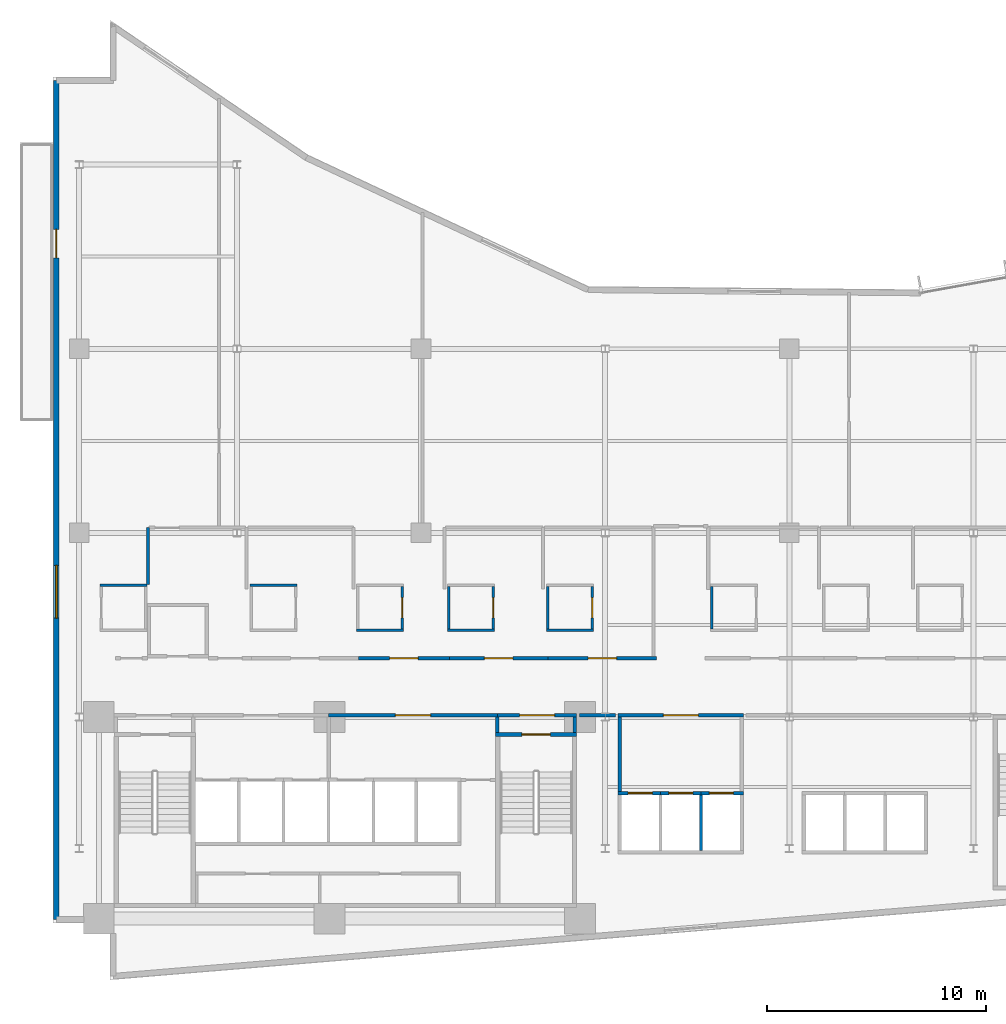
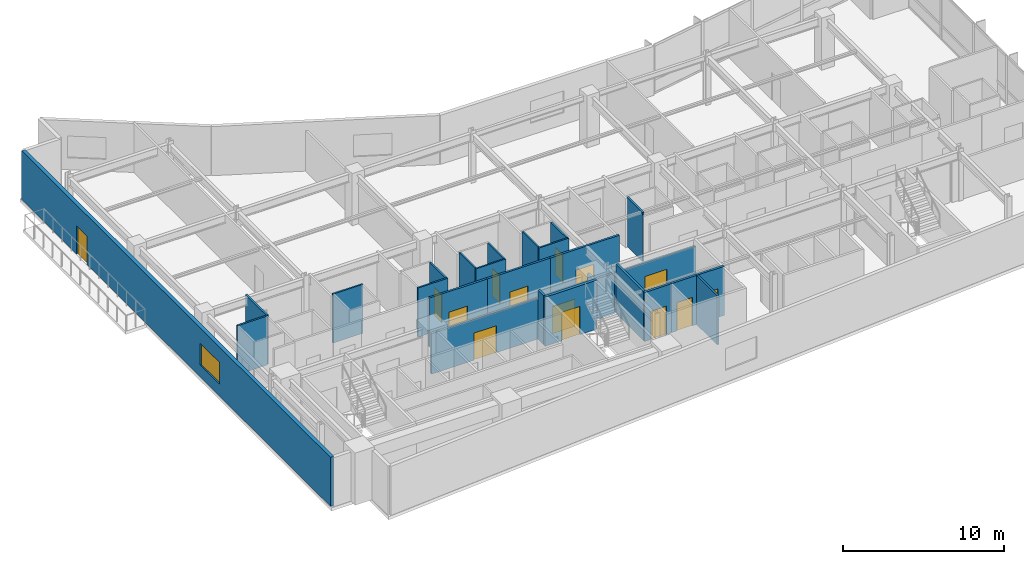
# One storey, part 13 of 21: 28 walls, 14 doors, 1 window, 15 openings.
"""IFC4 building model written with IfcOpenShell, lengths in metres."""

from ifc_helpers import new_model, si_unit, direction, frame, frame_2d, origin, place, context, subcontext, project, spatial, rectangle, extrude, material, layer, layer_set, type_object, element, fill, save


model = new_model("IFC4")

# Units and contexts
model_context = context("Model", 3, precision=1e-05, world=origin(), true_north=direction((0.0, 1.0)))
body_context = subcontext(model_context, "Body", "Model", "MODEL_VIEW")
ifc_project = project(units=[si_unit("LENGTHUNIT", "METRE"), si_unit("AREAUNIT", "SQUARE_METRE"), si_unit("VOLUMEUNIT", "CUBIC_METRE"), si_unit("PLANEANGLEUNIT", "RADIAN"), si_unit("MASSUNIT", "GRAM", prefix="KILO")], contexts=[model_context])

# Site, building, storey
site_placement = place(None, origin())
site = spatial("IfcSite", under=ifc_project, at=site_placement, CompositionType="ELEMENT")
building_placement = place(site_placement, origin())
building = spatial("IfcBuilding", under=site, at=building_placement, Name="Varnakote Quay Hospital", CompositionType="ELEMENT")
storey_placement = place(building_placement, frame((0.0, 0.0, 34.35009765625)))
storey = spatial("IfcBuildingStorey", under=building, at=storey_placement, Name="L08", CompositionType="ELEMENT", Elevation=34.35009765625)

# Wall, opening, door
ifc_material_1 = material(Name="Fire-rated acoustic gypsum stud wall", Category="gypsum")
ifc_layer_1 = layer(ifc_material_1, 0.159912109375)
ifc_layer_set_1 = layer_set([ifc_layer_1], Name="Fire-rated acoustic gypsum stud wall")
wall_type_1 = type_object("IfcWallType", Name="WL-COMP-160", PredefinedType="PARTITIONING", material=ifc_layer_set_1)
wall_1_placement = place(storey_placement, frame((12.580078125, 12.080078125, 0.0), z_axis=(0.0, 0.0, 1.0), x_axis=(1.0, 0.0, 0.0)))
wall_1 = element("IfcWall", 1, at=wall_1_placement, inside=storey, type_object=wall_type_1, Name="L08 Clinical Bed Lift Lobby Wall", PredefinedType="PARTITIONING", context=body_context, shape_type="SweptSolid", body=[
    extrude(rectangle(XDim=7.699951171875, YDim=0.159912109375, at=frame_2d((3.85009765625, 0.0))), origin(), (0.0, 0.0, 1.0), 3.072998046875),
])
opening_1_placement = place(wall_1_placement, frame((3.050048828125, 0.0, 0.0)))
opening_1 = element("IfcOpeningElement", 2, at=opening_1_placement, cuts=wall_1, Name="Opening D-SVL-L08", PredefinedType="OPENING", context=body_context, shape_type="SweptSolid", body=[
    extrude(rectangle(XDim=1.60009765625, YDim=2.050048828125, at=frame_2d((0.800048828125, 1.02490234375))), frame((0.0, 0.08984375, 0.0), z_axis=(0.0, -1.0, 0.0), x_axis=(1.0, 0.0, 0.0)), (0.0, 0.0, 1.0), 0.179931640625),
])
ifc_material_2 = material(Name="Fire-rated double smoke lobby door")
door_type_1 = type_object("IfcDoorType", Name="DR-LOBBY-FD60S-1600x2150", OperationType="NOTDEFINED", PredefinedType="DOOR", material=ifc_material_2)
door_1_placement = place(opening_1_placement, origin())
door_1 = element("IfcDoor", 3, at=door_1_placement, inside=storey, type_object=door_type_1, Name="L08 Clinical Core Smoke Vestibule Door", OperationType="DOUBLE_DOOR_SINGLE_SWING", OverallHeight=2.050048828125, OverallWidth=1.60009765625, PredefinedType="DOOR", context=body_context, shape_type="SweptSolid", body=[
    extrude(rectangle(XDim=1.60009765625, YDim=2.050048828125, at=frame_2d((0.800048828125, 1.02490234375))), frame((0.0, 0.02490234375, 0.0), z_axis=(0.0, -1.0, 0.0), x_axis=(1.0, 0.0, 0.0)), (0.0, 0.0, 1.0), 0.050048828125),
])
fill(opening_1, door_1)

# Wall
wall_2_placement = place(storey_placement, frame((20.280029296875, 11.300048828125, 0.0), z_axis=(0.0, 0.0, 1.0), x_axis=(0.0, 1.0, 0.0)))
element("IfcWall", 4, at=wall_2_placement, inside=storey, type_object=wall_type_1, Name="L08 East Stair Vestibule Divider Wall", PredefinedType="PARTITIONING", context=body_context, shape_type="SweptSolid", body=[
    extrude(rectangle(XDim=0.699951171875, YDim=0.159912109375, at=frame_2d((0.35009765625, 0.0))), origin(), (0.0, 0.0, 1.0), 3.7099609375),
])

# Wall, opening, door
wall_3_placement = place(storey_placement, frame((20.280029296875, 12.080078125, 0.0), z_axis=(0.0, 0.0, 1.0), x_axis=(1.0, 0.0, 0.0)))
wall_3 = element("IfcWall", 5, at=wall_3_placement, inside=storey, type_object=wall_type_1, Name="L08 East Stair Vestibule Smoke Wall", PredefinedType="PARTITIONING", context=body_context, shape_type="SweptSolid", body=[
    extrude(rectangle(XDim=3.619873046875, YDim=0.159912109375, at=frame_2d((1.81005859375, 0.0))), origin(), (0.0, 0.0, 1.0), 3.072998046875),
])
opening_2_placement = place(wall_3_placement, frame((1.010009765625, 0.0, 0.0)))
opening_2 = element("IfcOpeningElement", 6, at=opening_2_placement, cuts=wall_3, Name="Opening D-ST2L-L08", PredefinedType="OPENING", context=body_context, shape_type="SweptSolid", body=[
    extrude(rectangle(XDim=1.60009765625, YDim=2.050048828125, at=frame_2d((0.800048828125, 1.02490234375))), frame((0.0, 0.08984375, 0.0), z_axis=(0.0, -1.0, 0.0), x_axis=(1.0, 0.0, 0.0)), (0.0, 0.0, 1.0), 0.179931640625),
])
door_2_placement = place(opening_2_placement, origin())
door_2 = element("IfcDoor", 7, at=door_2_placement, inside=storey, type_object=door_type_1, Name="L08 East Stair Vestibule Smoke Door", OperationType="DOUBLE_DOOR_SINGLE_SWING", OverallHeight=2.050048828125, OverallWidth=1.60009765625, PredefinedType="DOOR", context=body_context, shape_type="SweptSolid", body=[
    extrude(rectangle(XDim=1.60009765625, YDim=2.050048828125, at=frame_2d((0.800048828125, 1.02490234375))), frame((0.0, 0.02490234375, 0.0), z_axis=(0.0, -1.0, 0.0), x_axis=(1.0, 0.0, 0.0)), (0.0, 0.0, 1.0), 0.050048828125),
])
fill(opening_2, door_2)

# Walls
wall_4_placement = place(storey_placement, frame((23.820068359375, 11.300048828125, 0.0), z_axis=(0.0, 0.0, 1.0), x_axis=(0.0, 1.0, 0.0)))
element("IfcWall", 8, at=wall_4_placement, inside=storey, type_object=wall_type_1, Name="L08 East Stair Vestibule East Wall", PredefinedType="PARTITIONING", context=body_context, shape_type="SweptSolid", body=[
    extrude(rectangle(XDim=0.699951171875, YDim=0.159912109375, at=frame_2d((0.35009765625, 0.0))), origin(), (0.0, 0.0, 1.0), 3.7099609375),
])
wall_5_placement = place(storey_placement, frame((25.8701171875, 8.610107421875, 0.0), z_axis=(0.0, 0.0, 1.0), x_axis=(0.0, 1.0, 0.0)))
element("IfcWall", 9, at=wall_5_placement, inside=storey, type_object=wall_type_1, Name="L08 Low-Rise Lift Lobby West Wall", PredefinedType="PARTITIONING", context=body_context, shape_type="SweptSolid", body=[
    extrude(rectangle(XDim=3.389892578125, YDim=0.159912109375, at=frame_2d((1.69482421875, 0.0))), origin(), (0.0, 0.0, 1.0), 3.7099609375),
])

# Wall, opening, door
wall_6_placement = place(storey_placement, frame((25.7900390625, 12.080078125, 0.0), z_axis=(0.0, 0.0, 1.0), x_axis=(1.0, 0.0, 0.0)))
wall_6 = element("IfcWall", 10, at=wall_6_placement, inside=storey, type_object=wall_type_1, Name="L08 Low-Rise Lift Lobby North Wall", PredefinedType="PARTITIONING", context=body_context, shape_type="SweptSolid", body=[
    extrude(rectangle(XDim=5.719970703125, YDim=0.159912109375, at=frame_2d((2.85986328125, 0.0))), origin(), (0.0, 0.0, 1.0), 3.072998046875),
])
opening_3_placement = place(wall_6_placement, frame((2.06005859375, 0.0, 0.0)))
opening_3 = element("IfcOpeningElement", 11, at=opening_3_placement, cuts=wall_6, Name="Opening D-PLL-L08", PredefinedType="OPENING", context=body_context, shape_type="SweptSolid", body=[
    extrude(rectangle(XDim=1.60009765625, YDim=2.050048828125, at=frame_2d((0.800048828125, 1.02490234375))), frame((0.0, 0.08984375, 0.0), z_axis=(0.0, -1.0, 0.0), x_axis=(1.0, 0.0, 0.0)), (0.0, 0.0, 1.0), 0.179931640625),
])
door_3_placement = place(opening_3_placement, origin())
door_3 = element("IfcDoor", 12, at=door_3_placement, inside=storey, type_object=door_type_1, Name="L08 Low-Rise Passenger Concourse Vestibule Door", OperationType="DOUBLE_DOOR_SINGLE_SWING", OverallHeight=2.050048828125, OverallWidth=1.60009765625, PredefinedType="DOOR", context=body_context, shape_type="SweptSolid", body=[
    extrude(rectangle(XDim=1.60009765625, YDim=2.050048828125, at=frame_2d((0.800048828125, 1.02490234375))), frame((0.0, 0.02490234375, 0.0), z_axis=(0.0, -1.0, 0.0), x_axis=(1.0, 0.0, 0.0)), (0.0, 0.0, 1.0), 0.050048828125),
])
fill(opening_3, door_3)

# Walls
wall_7_placement = place(storey_placement, frame((24.02001953125, 12.080078125, 0.0), z_axis=(0.0, 0.0, 1.0), x_axis=(1.0, 0.0, 0.0)))
element("IfcWall", 13, at=wall_7_placement, inside=storey, type_object=wall_type_1, Name="L08 Corridor South Gap Wall", PredefinedType="PARTITIONING", context=body_context, shape_type="SweptSolid", body=[
    extrude(rectangle(XDim=1.64990234375, YDim=0.159912109375, at=frame_2d((0.824951171875, 0.0))), origin(), (0.0, 0.0, 1.0), 3.072998046875),
])
ifc_material_3 = material(Name="Moisture-resistant bathroom partition", Category="gypsum")
ifc_layer_2 = layer(ifc_material_3, 0.114990234375)
ifc_layer_set_2 = layer_set([ifc_layer_2], Name="Moisture-resistant bathroom partition")
wall_type_2 = type_object("IfcWallType", Name="WL-ENS-115", PredefinedType="PARTITIONING", material=ifc_layer_set_2)
for number, where, z_axis, x_axis, name in (
    (14, (2.155029296875, 18.017578125, 0.0), (0.0, 0.0, 1.0), (1.0, 0.0, 0.0), "L08 Inpatient En-Suite Bathroom 01 N Wall"),
    (15, (8.985107421875, 18.017578125, 0.0), (0.0, 0.0, 1.0), (1.0, 0.0, 0.0), "L08 Inpatient En-Suite Bathroom 02 N Wall"),
    (16, (13.85498046875, 15.952392578125, 0.0), (0.0, 0.0, 1.0), (1.0, 0.0, 0.0), "L08 Inpatient En-Suite Bathroom 03 S Wall"),
):
    element("IfcWall", number, at=place(storey_placement, frame(where, z_axis=z_axis, x_axis=x_axis)), inside=storey, type_object=wall_type_2, Name=name, PredefinedType="PARTITIONING", context=body_context, shape_type="SweptSolid", body=[
        extrude(rectangle(XDim=2.14990234375, YDim=0.114990234375, at=frame_2d((1.074951171875, 0.0))), origin(), (0.0, 0.0, 1.0), 3.7099609375),
    ])

# Wall, opening, door
wall_8_placement = place(storey_placement, frame((15.947509765625, 16.010009765625, 0.0), z_axis=(0.0, 0.0, 1.0), x_axis=(0.0, 1.0, 0.0)))
wall_8 = element("IfcWall", 17, at=wall_8_placement, inside=storey, type_object=wall_type_2, Name="L08 Inpatient En-Suite Bathroom 03 E Wall", PredefinedType="PARTITIONING", context=body_context, shape_type="SweptSolid", body=[
    extrude(rectangle(XDim=1.949951171875, YDim=0.114990234375, at=frame_2d((0.97509765625, 0.0))), origin(), (0.0, 0.0, 1.0), 3.7099609375),
])
opening_4_placement = place(wall_8_placement, frame((0.514892578125, 0.0, 0.0)))
opening_4 = element("IfcOpeningElement", 18, at=opening_4_placement, cuts=wall_8, Name="Opening D-L08-ENS03", PredefinedType="OPENING", context=body_context, shape_type="SweptSolid", body=[
    extrude(rectangle(XDim=0.919921875, YDim=2.10009765625, at=frame_2d((0.4599609375, 1.050048828125))), frame((0.0, 0.0673828125, 0.0), z_axis=(0.0, -1.0, 0.0), x_axis=(1.0, 0.0, 0.0)), (0.0, 0.0, 1.0), 0.135009765625),
])
ifc_material_4 = material(Name="Moisture-sealed en-suite bathroom door")
door_type_2 = type_object("IfcDoorType", Name="DR-ENS-920x2100", OperationType="NOTDEFINED", PredefinedType="DOOR", material=ifc_material_4)
door_4_placement = place(opening_4_placement, origin())
door_4 = element("IfcDoor", 19, at=door_4_placement, inside=storey, type_object=door_type_2, Name="L08 Inpatient En-Suite Bathroom 03 Door", OperationType="SINGLE_SWING_LEFT", OverallHeight=2.10009765625, OverallWidth=0.919921875, PredefinedType="DOOR", context=body_context, shape_type="SweptSolid", body=[
    extrude(rectangle(XDim=0.919921875, YDim=2.10009765625, at=frame_2d((0.4599609375, 1.050048828125))), frame((0.0, 0.02490234375, 0.0), z_axis=(0.0, -1.0, 0.0), x_axis=(1.0, 0.0, 0.0)), (0.0, 0.0, 1.0), 0.050048828125),
])
fill(opening_4, door_4)

# Walls
wall_9_placement = place(storey_placement, frame((18.0048828125, 15.952392578125, 0.0), z_axis=(0.0, 0.0, 1.0), x_axis=(1.0, 0.0, 0.0)))
element("IfcWall", 20, at=wall_9_placement, inside=storey, type_object=wall_type_2, Name="L08 Inpatient En-Suite Bathroom 04 S Wall", PredefinedType="PARTITIONING", context=body_context, shape_type="SweptSolid", body=[
    extrude(rectangle(XDim=2.150146484375, YDim=0.114990234375, at=frame_2d((1.0751953125, 0.0))), origin(), (0.0, 0.0, 1.0), 3.7099609375),
])
wall_10_placement = place(storey_placement, frame((18.0625, 16.010009765625, 0.0), z_axis=(0.0, 0.0, 1.0), x_axis=(0.0, 1.0, 0.0)))
element("IfcWall", 21, at=wall_10_placement, inside=storey, type_object=wall_type_2, Name="L08 Inpatient En-Suite Bathroom 04 W Wall", PredefinedType="PARTITIONING", context=body_context, shape_type="SweptSolid", body=[
    extrude(rectangle(XDim=1.949951171875, YDim=0.114990234375, at=frame_2d((0.97509765625, 0.0))), origin(), (0.0, 0.0, 1.0), 3.7099609375),
])

# Wall, opening, door
wall_11_placement = place(storey_placement, frame((20.097412109375, 16.010009765625, 0.0), z_axis=(0.0, 0.0, 1.0), x_axis=(0.0, 1.0, 0.0)))
wall_11 = element("IfcWall", 22, at=wall_11_placement, inside=storey, type_object=wall_type_2, Name="L08 Inpatient En-Suite Bathroom 04 E Wall", PredefinedType="PARTITIONING", context=body_context, shape_type="SweptSolid", body=[
    extrude(rectangle(XDim=1.949951171875, YDim=0.114990234375, at=frame_2d((0.97509765625, 0.0))), origin(), (0.0, 0.0, 1.0), 3.7099609375),
])
opening_5_placement = place(wall_11_placement, frame((0.514892578125, 0.0, 0.0)))
opening_5 = element("IfcOpeningElement", 23, at=opening_5_placement, cuts=wall_11, Name="Opening D-L08-ENS04", PredefinedType="OPENING", context=body_context, shape_type="SweptSolid", body=[
    extrude(rectangle(XDim=0.919921875, YDim=2.10009765625, at=frame_2d((0.4599609375, 1.050048828125))), frame((0.0, 0.0673828125, 0.0), z_axis=(0.0, -1.0, 0.0), x_axis=(1.0, 0.0, 0.0)), (0.0, 0.0, 1.0), 0.135009765625),
])
door_5_placement = place(opening_5_placement, origin())
door_5 = element("IfcDoor", 24, at=door_5_placement, inside=storey, type_object=door_type_2, Name="L08 Inpatient En-Suite Bathroom 04 Door", OperationType="SINGLE_SWING_RIGHT", OverallHeight=2.10009765625, OverallWidth=0.919921875, PredefinedType="DOOR", context=body_context, shape_type="SweptSolid", body=[
    extrude(rectangle(XDim=0.919921875, YDim=2.10009765625, at=frame_2d((0.4599609375, 1.050048828125))), frame((0.0, 0.02490234375, 0.0), z_axis=(0.0, -1.0, 0.0), x_axis=(1.0, 0.0, 0.0)), (0.0, 0.0, 1.0), 0.050048828125),
])
fill(opening_5, door_5)

# Walls
wall_12_placement = place(storey_placement, frame((22.514892578125, 15.952392578125, 0.0), z_axis=(0.0, 0.0, 1.0), x_axis=(1.0, 0.0, 0.0)))
element("IfcWall", 25, at=wall_12_placement, inside=storey, type_object=wall_type_2, Name="L08 Inpatient En-Suite Bathroom 05 S Wall", PredefinedType="PARTITIONING", context=body_context, shape_type="SweptSolid", body=[
    extrude(rectangle(XDim=2.150146484375, YDim=0.114990234375, at=frame_2d((1.0751953125, 0.0))), origin(), (0.0, 0.0, 1.0), 3.7099609375),
])
wall_13_placement = place(storey_placement, frame((22.572509765625, 16.010009765625, 0.0), z_axis=(0.0, 0.0, 1.0), x_axis=(0.0, 1.0, 0.0)))
element("IfcWall", 26, at=wall_13_placement, inside=storey, type_object=wall_type_2, Name="L08 Inpatient En-Suite Bathroom 05 W Wall", PredefinedType="PARTITIONING", context=body_context, shape_type="SweptSolid", body=[
    extrude(rectangle(XDim=1.949951171875, YDim=0.114990234375, at=frame_2d((0.97509765625, 0.0))), origin(), (0.0, 0.0, 1.0), 3.7099609375),
])

# Wall, opening, door
wall_14_placement = place(storey_placement, frame((24.607421875, 16.010009765625, 0.0), z_axis=(0.0, 0.0, 1.0), x_axis=(0.0, 1.0, 0.0)))
wall_14 = element("IfcWall", 27, at=wall_14_placement, inside=storey, type_object=wall_type_2, Name="L08 Inpatient En-Suite Bathroom 05 E Wall", PredefinedType="PARTITIONING", context=body_context, shape_type="SweptSolid", body=[
    extrude(rectangle(XDim=1.949951171875, YDim=0.114990234375, at=frame_2d((0.97509765625, 0.0))), origin(), (0.0, 0.0, 1.0), 3.7099609375),
])
opening_6_placement = place(wall_14_placement, frame((0.514892578125, 0.0, 0.0)))
opening_6 = element("IfcOpeningElement", 28, at=opening_6_placement, cuts=wall_14, Name="Opening D-L08-ENS05", PredefinedType="OPENING", context=body_context, shape_type="SweptSolid", body=[
    extrude(rectangle(XDim=0.919921875, YDim=2.10009765625, at=frame_2d((0.4599609375, 1.050048828125))), frame((0.0, 0.0673828125, 0.0), z_axis=(0.0, -1.0, 0.0), x_axis=(1.0, 0.0, 0.0)), (0.0, 0.0, 1.0), 0.135009765625),
])
door_6_placement = place(opening_6_placement, origin())
door_6 = element("IfcDoor", 29, at=door_6_placement, inside=storey, type_object=door_type_2, Name="L08 Inpatient En-Suite Bathroom 05 Door", OperationType="SINGLE_SWING_LEFT", OverallHeight=2.10009765625, OverallWidth=0.919921875, PredefinedType="DOOR", context=body_context, shape_type="SweptSolid", body=[
    extrude(rectangle(XDim=0.919921875, YDim=2.10009765625, at=frame_2d((0.4599609375, 1.050048828125))), frame((0.0, 0.02490234375, 0.0), z_axis=(0.0, -1.0, 0.0), x_axis=(1.0, 0.0, 0.0)), (0.0, 0.0, 1.0), 0.050048828125),
])
fill(opening_6, door_6)

# Wall
wall_15_placement = place(storey_placement, frame((30.0625, 16.010009765625, 0.0), z_axis=(0.0, 0.0, 1.0), x_axis=(0.0, 1.0, 0.0)))
element("IfcWall", 30, at=wall_15_placement, inside=storey, type_object=wall_type_2, Name="L08 Inpatient En-Suite Bathroom 06 W Wall", PredefinedType="PARTITIONING", context=body_context, shape_type="SweptSolid", body=[
    extrude(rectangle(XDim=1.949951171875, YDim=0.114990234375, at=frame_2d((0.97509765625, 0.0))), origin(), (0.0, 0.0, 1.0), 3.7099609375),
])

# Wall, openings, door, window
ifc_material_5 = material(Name="Precast concrete N50 (f'c 50 MPa)", Category="concrete")
ifc_layer_3 = layer(ifc_material_5, 0.260009765625)
ifc_layer_set_3 = layer_set([ifc_layer_3], Name="Precast concrete N50 (f'c 50 MPa)")
wall_type_3 = type_object("IfcWallType", Name="WL-EXT-BRICK-260", PredefinedType="STANDARD", material=ifc_layer_set_3)
wall_16_placement = place(storey_placement, frame((0.159912109375, 41.0400390625, 0.0), z_axis=(0.0, 0.0, 1.0), x_axis=(0.0, -1.0, 0.0)))
wall_16 = element("IfcWall", 31, at=wall_16_placement, inside=storey, type_object=wall_type_3, Name="L08 Healing Terrace Portal Brick Wall", PredefinedType="STANDARD", context=body_context, shape_type="SweptSolid", body=[
    extrude(rectangle(XDim=38.280029296875, YDim=0.260009765625, at=frame_2d((19.14013671875, 0.0))), origin(), (0.0, 0.0, 1.0), 3.7099609375),
])
opening_7_placement = place(wall_16_placement, frame((6.793212890625, 0.0, 0.0)))
opening_7 = element("IfcOpeningElement", 32, at=opening_7_placement, cuts=wall_16, Name="Opening DT-L08", PredefinedType="OPENING", context=body_context, shape_type="SweptSolid", body=[
    extrude(rectangle(XDim=1.300048828125, YDim=2.14990234375, at=frame_2d((0.64990234375, 1.074951171875))), frame((0.0, 0.139892578125, 0.0), z_axis=(0.0, -1.0, 0.0), x_axis=(1.0, 0.0, 0.0)), (0.0, 0.0, 1.0), 0.280029296875),
])
opening_8_placement = place(wall_16_placement, frame((22.126953125, 0.0, 0.89990234375)))
opening_8 = element("IfcOpeningElement", 33, at=opening_8_placement, cuts=wall_16, Name="Opening WN-0303", PredefinedType="OPENING", context=body_context, shape_type="SweptSolid", body=[
    extrude(rectangle(XDim=2.39990234375, YDim=1.64990234375, at=frame_2d((1.199951171875, 0.824951171875))), frame((0.0, 0.139892578125, 0.0), z_axis=(0.0, -1.0, 0.0), x_axis=(1.0, 0.0, 0.0)), (0.0, 0.0, 1.0), 0.280029296875),
])
ifc_material_6 = material(Name="Anodised aluminium glazed terrace door", Category="aluminium")
door_type_3 = type_object("IfcDoorType", Name="DR-EXT-TERR-1300x2150", OperationType="NOTDEFINED", PredefinedType="DOOR", material=ifc_material_6)
door_7_placement = place(opening_7_placement, origin())
door_7 = element("IfcDoor", 34, at=door_7_placement, inside=storey, type_object=door_type_3, Name="L08 Waterfront Healing Terrace Door", OperationType="SINGLE_SWING_LEFT", OverallHeight=2.14990234375, OverallWidth=1.300048828125, PredefinedType="DOOR", context=body_context, shape_type="SweptSolid", body=[
    extrude(rectangle(XDim=1.300048828125, YDim=2.14990234375, at=frame_2d((0.64990234375, 1.074951171875))), frame((0.0, 0.02490234375, 0.0), z_axis=(0.0, -1.0, 0.0), x_axis=(1.0, 0.0, 0.0)), (0.0, 0.0, 1.0), 0.050048828125),
])
fill(opening_7, door_7)
ifc_material_7 = material(Name="Double-glazed low-E solar glass", Category="glass")
window_type = type_object("IfcWindowType", Name="WIN-CLIN-2400x1650", PartitioningType="SINGLE_PANEL", PredefinedType="WINDOW", material=ifc_material_7)
window_placement = place(opening_8_placement, origin())
window = element("IfcWindow", 35, at=window_placement, inside=storey, type_object=window_type, Name="L08 Solar-Control Clinical Window", OverallHeight=1.64990234375, OverallWidth=2.39990234375, PartitioningType="SINGLE_PANEL", PredefinedType="WINDOW", context=body_context, shape_type="SweptSolid", body=[
    extrude(rectangle(XDim=2.39990234375, YDim=1.64990234375, at=frame_2d((1.199951171875, 0.824951171875))), frame((0.0, 0.030029296875, 0.0), z_axis=(0.0, -1.0, 0.0), x_axis=(1.0, 0.0, 0.0)), (0.0, 0.0, 1.0), 0.06005859375),
])
fill(opening_8, window)

# Wall
ifc_material_8 = material(Name="Concrete N50 (f'c 50 MPa)", Category="concrete")
ifc_layer_4 = layer(ifc_material_8, 0.14990234375)
ifc_layer_set_4 = layer_set([ifc_layer_4], Name="Concrete N50 (f'c 50 MPa)")
wall_type_4 = type_object("IfcWallType", Name="WL-SHAFT-N50-150", PredefinedType="SHEAR", material=ifc_layer_set_4)
wall_17_placement = place(storey_placement, frame((29.574951171875, 5.89990234375, 0.0), z_axis=(0.0, 0.0, 1.0), x_axis=(0.0, 1.0, 0.0)))
element("IfcWall", 36, at=wall_17_placement, inside=storey, type_object=wall_type_4, Name="L08 LF-PL2 Hoistway Divider Wall", PredefinedType="SHEAR", context=body_context, shape_type="SweptSolid", body=[
    extrude(rectangle(XDim=2.550048828125, YDim=0.14990234375, at=frame_2d((1.27490234375, 0.0))), origin(), (0.0, 0.0, 1.0), 3.7099609375),
])

# Wall, opening, door
ifc_material_9 = material(Name="Concrete N50 (f'c 50 MPa)", Category="concrete")
ifc_layer_5 = layer(ifc_material_9, 0.159912109375)
ifc_layer_set_5 = layer_set([ifc_layer_5], Name="Concrete N50 (f'c 50 MPa)")
wall_type_5 = type_object("IfcWallType", Name="WL-SHAFT-N50-160", PredefinedType="SHEAR", material=ifc_layer_set_5)
wall_18_placement = place(storey_placement, frame((25.7900390625, 8.530029296875, 0.0), z_axis=(0.0, 0.0, 1.0), x_axis=(1.0, 0.0, 0.0)))
wall_18 = element("IfcWall", 37, at=wall_18_placement, inside=storey, type_object=wall_type_5, Name="L08 LF-PL1 Hoistway Front Wall", PredefinedType="SHEAR", context=body_context, shape_type="SweptSolid", body=[
    extrude(rectangle(XDim=1.93505859375, YDim=0.159912109375, at=frame_2d((0.967529296875, 0.0))), origin(), (0.0, 0.0, 1.0), 3.7099609375),
])
opening_9_placement = place(wall_18_placement, frame((0.4599609375, 0.0, 0.0)))
opening_9 = element("IfcOpeningElement", 38, at=opening_9_placement, cuts=wall_18, Name="Opening LD-PL1-L08", PredefinedType="OPENING", context=body_context, shape_type="SweptSolid", body=[
    extrude(rectangle(XDim=1.10009765625, YDim=2.14990234375, at=frame_2d((0.550048828125, 1.074951171875))), frame((0.0, 0.08984375, 0.0), z_axis=(0.0, -1.0, 0.0), x_axis=(1.0, 0.0, 0.0)), (0.0, 0.0, 1.0), 0.179931640625),
])
ifc_material_10 = material(Name="Brushed bronze lift landing sliding door")
door_type_4 = type_object("IfcDoorType", Name="DR-LIFT-LD-1100x2150", OperationType="NOTDEFINED", PredefinedType="DOOR", material=ifc_material_10)
door_8_placement = place(opening_9_placement, origin())
door_8 = element("IfcDoor", 39, at=door_8_placement, inside=storey, type_object=door_type_4, Name="L08 LF-PL1 Lift Landing Sliding Door", OperationType="SLIDING_TO_LEFT", OverallHeight=2.14990234375, OverallWidth=1.10009765625, PredefinedType="DOOR", context=body_context, shape_type="SweptSolid", body=[
    extrude(rectangle(XDim=1.10009765625, YDim=2.14990234375, at=frame_2d((0.550048828125, 1.074951171875))), frame((0.0, 0.02490234375, 0.0), z_axis=(0.0, -1.0, 0.0), x_axis=(1.0, 0.0, 0.0)), (0.0, 0.0, 1.0), 0.050048828125),
])
fill(opening_9, door_8)

wall_19_placement = place(storey_placement, frame((27.72509765625, 8.530029296875, 0.0), z_axis=(0.0, 0.0, 1.0), x_axis=(1.0, 0.0, 0.0)))
wall_19 = element("IfcWall", 40, at=wall_19_placement, inside=storey, type_object=wall_type_5, Name="L08 LF-PL2 Hoistway Front Wall", PredefinedType="SHEAR", context=body_context, shape_type="SweptSolid", body=[
    extrude(rectangle(XDim=1.849853515625, YDim=0.159912109375, at=frame_2d((0.9248046875, 0.0))), origin(), (0.0, 0.0, 1.0), 3.7099609375),
])
opening_10_placement = place(wall_19_placement, frame((0.375, 0.0, 0.0)))
opening_10 = element("IfcOpeningElement", 41, at=opening_10_placement, cuts=wall_19, Name="Opening LD-PL2-L08", PredefinedType="OPENING", context=body_context, shape_type="SweptSolid", body=[
    extrude(rectangle(XDim=1.10009765625, YDim=2.14990234375, at=frame_2d((0.550048828125, 1.074951171875))), frame((0.0, 0.08984375, 0.0), z_axis=(0.0, -1.0, 0.0), x_axis=(1.0, 0.0, 0.0)), (0.0, 0.0, 1.0), 0.179931640625),
])
door_9_placement = place(opening_10_placement, origin())
door_9 = element("IfcDoor", 42, at=door_9_placement, inside=storey, type_object=door_type_4, Name="L08 LF-PL2 Lift Landing Sliding Door", OperationType="SLIDING_TO_LEFT", OverallHeight=2.14990234375, OverallWidth=1.10009765625, PredefinedType="DOOR", context=body_context, shape_type="SweptSolid", body=[
    extrude(rectangle(XDim=1.10009765625, YDim=2.14990234375, at=frame_2d((0.550048828125, 1.074951171875))), frame((0.0, 0.02490234375, 0.0), z_axis=(0.0, -1.0, 0.0), x_axis=(1.0, 0.0, 0.0)), (0.0, 0.0, 1.0), 0.050048828125),
])
fill(opening_10, door_9)

wall_20_placement = place(storey_placement, frame((29.574951171875, 8.530029296875, 0.0), z_axis=(0.0, 0.0, 1.0), x_axis=(1.0, 0.0, 0.0)))
wall_20 = element("IfcWall", 43, at=wall_20_placement, inside=storey, type_object=wall_type_5, Name="L08 LF-PL3 Hoistway Front Wall", PredefinedType="SHEAR", context=body_context, shape_type="SweptSolid", body=[
    extrude(rectangle(XDim=1.93505859375, YDim=0.159912109375, at=frame_2d((0.967529296875, 0.0))), origin(), (0.0, 0.0, 1.0), 3.7099609375),
])
opening_11_placement = place(wall_20_placement, frame((0.375, 0.0, 0.0)))
opening_11 = element("IfcOpeningElement", 44, at=opening_11_placement, cuts=wall_20, Name="Opening LD-PL3-L08", PredefinedType="OPENING", context=body_context, shape_type="SweptSolid", body=[
    extrude(rectangle(XDim=1.10009765625, YDim=2.14990234375, at=frame_2d((0.550048828125, 1.074951171875))), frame((0.0, 0.08984375, 0.0), z_axis=(0.0, -1.0, 0.0), x_axis=(1.0, 0.0, 0.0)), (0.0, 0.0, 1.0), 0.179931640625),
])
door_10_placement = place(opening_11_placement, origin())
door_10 = element("IfcDoor", 45, at=door_10_placement, inside=storey, type_object=door_type_4, Name="L08 LF-PL3 Lift Landing Sliding Door", OperationType="SLIDING_TO_LEFT", OverallHeight=2.14990234375, OverallWidth=1.10009765625, PredefinedType="DOOR", context=body_context, shape_type="SweptSolid", body=[
    extrude(rectangle(XDim=1.10009765625, YDim=2.14990234375, at=frame_2d((0.550048828125, 1.074951171875))), frame((0.0, 0.02490234375, 0.0), z_axis=(0.0, -1.0, 0.0), x_axis=(1.0, 0.0, 0.0)), (0.0, 0.0, 1.0), 0.050048828125),
])
fill(opening_11, door_10)

ifc_material_11 = material(Name="Concrete N50 (f'c 50 MPa)", Category="concrete")
ifc_layer_6 = layer(ifc_material_11, 0.199951171875)
ifc_layer_set_6 = layer_set([ifc_layer_6], Name="Concrete N50 (f'c 50 MPa)")
wall_type_6 = type_object("IfcWallType", Name="WL-SHAFT-N50-200", PredefinedType="SHEAR", material=ifc_layer_set_6)
wall_21_placement = place(storey_placement, frame((20.199951171875, 11.199951171875, 0.0), z_axis=(0.0, 0.0, 1.0), x_axis=(1.0, 0.0, 0.0)))
wall_21 = element("IfcWall", 46, at=wall_21_placement, inside=storey, type_object=wall_type_6, Name="L08 Stair ST2 Exit Wall", PredefinedType="SHEAR", context=body_context, shape_type="SweptSolid", body=[
    extrude(rectangle(XDim=3.699951171875, YDim=0.199951171875, at=frame_2d((1.85009765625, 0.0))), origin(), (0.0, 0.0, 1.0), 3.7099609375),
])
opening_12_placement = place(wall_21_placement, frame((1.199951171875, 0.0, 0.0)))
opening_12 = element("IfcOpeningElement", 47, at=opening_12_placement, cuts=wall_21, Name="Opening D-ST2-L08", PredefinedType="OPENING", context=body_context, shape_type="SweptSolid", body=[
    extrude(rectangle(XDim=1.300048828125, YDim=2.14990234375, at=frame_2d((0.64990234375, 1.074951171875))), frame((0.0, 0.10986328125, 0.0), z_axis=(0.0, -1.0, 0.0), x_axis=(1.0, 0.0, 0.0)), (0.0, 0.0, 1.0), 0.219970703125),
])
ifc_material_12 = material(Name="Fire-rated ceramic-glazed timber exit door", Category="wood")
door_type_5 = type_object("IfcDoorType", Name="DR-STAIR-FD60S-1300x2150", OperationType="NOTDEFINED", PredefinedType="DOOR", material=ifc_material_12)
door_11_placement = place(opening_12_placement, origin())
door_11 = element("IfcDoor", 48, at=door_11_placement, inside=storey, type_object=door_type_5, Name="L08 Stair ST2 Fire Exit Door", OperationType="SINGLE_SWING_LEFT", OverallHeight=2.14990234375, OverallWidth=1.300048828125, PredefinedType="DOOR", context=body_context, shape_type="SweptSolid", body=[
    extrude(rectangle(XDim=1.300048828125, YDim=2.14990234375, at=frame_2d((0.64990234375, 1.074951171875))), frame((0.0, 0.02490234375, 0.0), z_axis=(0.0, -1.0, 0.0), x_axis=(1.0, 0.0, 0.0)), (0.0, 0.0, 1.0), 0.050048828125),
])
fill(opening_12, door_11)

# Wall
ifc_material_13 = material(Name="Smoke-proof clinical partition", Category="gypsum")
ifc_layer_7 = layer(ifc_material_13, 0.135009765625)
ifc_layer_set_7 = layer_set([ifc_layer_7], Name="Smoke-proof clinical partition")
wall_type_7 = type_object("IfcWallType", Name="WL-SMOKE-135", PredefinedType="PARTITIONING", material=ifc_layer_set_7)
wall_22_placement = place(storey_placement, frame((4.330078125, 18.0400390625, 0.0), z_axis=(0.0, 0.0, 1.0), x_axis=(0.0, 1.0, 0.0)))
element("IfcWall", 49, at=wall_22_placement, inside=storey, type_object=wall_type_7, Name="L08 Clinical Interior Partition", PredefinedType="PARTITIONING", context=body_context, shape_type="SweptSolid", body=[
    extrude(rectangle(XDim=2.599853515625, YDim=0.135009765625, at=frame_2d((1.2998046875, 0.0))), origin(), (0.0, 0.0, 1.0), 3.7099609375),
])

# Wall, opening, door
ifc_material_14 = material(Name="Fire-rated clinical gypsum partition", Category="gypsum")
ifc_layer_8 = layer(ifc_material_14, 0.14990234375)
ifc_layer_set_8 = layer_set([ifc_layer_8], Name="Fire-rated clinical gypsum partition")
wall_type_8 = type_object("IfcWallType", Name="WL-WARD-150", PredefinedType="PARTITIONING", material=ifc_layer_set_8)
wall_23_placement = place(storey_placement, frame((18.0859375, 14.679931640625, 0.0), z_axis=(0.0, 0.0, 1.0), x_axis=(-1.0, 0.0, 0.0)))
wall_23 = element("IfcWall", 50, at=wall_23_placement, inside=storey, type_object=wall_type_8, Name="L08 Clinical Interior Partition", PredefinedType="PARTITIONING", context=body_context, shape_type="SweptSolid", body=[
    extrude(rectangle(XDim=4.14794921875, YDim=0.14990234375, at=frame_2d((2.073974609375, 0.0))), origin(), (0.0, 0.0, 1.0), 3.7099609375),
])
opening_13_placement = place(wall_23_placement, frame((1.424072265625, 0.0, 0.0)))
opening_13 = element("IfcOpeningElement", 51, at=opening_13_placement, cuts=wall_23, Name="Opening D-L08-BR03", PredefinedType="OPENING", context=body_context, shape_type="SweptSolid", body=[
    extrude(rectangle(XDim=1.300048828125, YDim=2.14990234375, at=frame_2d((0.64990234375, 1.074951171875))), frame((0.0, 0.0849609375, 0.0), z_axis=(0.0, -1.0, 0.0), x_axis=(1.0, 0.0, 0.0)), (0.0, 0.0, 1.0), 0.169921875),
])
ifc_material_15 = material(Name="Solid-core timber clinical bed door", Category="wood")
door_type_6 = type_object("IfcDoorType", Name="DR-WARD-FD30S-1300x2150", OperationType="NOTDEFINED", PredefinedType="DOOR", material=ifc_material_15)
door_12_placement = place(opening_13_placement, origin())
door_12 = element("IfcDoor", 52, at=door_12_placement, inside=storey, type_object=door_type_6, Name="L08 Resident Care Bedroom 03 Door", OperationType="SINGLE_SWING_RIGHT", OverallHeight=2.14990234375, OverallWidth=1.300048828125, PredefinedType="DOOR", context=body_context, shape_type="SweptSolid", body=[
    extrude(rectangle(XDim=1.300048828125, YDim=2.14990234375, at=frame_2d((0.64990234375, 1.074951171875))), frame((0.0, 0.02490234375, 0.0), z_axis=(0.0, -1.0, 0.0), x_axis=(1.0, 0.0, 0.0)), (0.0, 0.0, 1.0), 0.050048828125),
])
fill(opening_13, door_12)

wall_24_placement = place(storey_placement, frame((22.595947265625, 14.679931640625, 0.0), z_axis=(0.0, 0.0, 1.0), x_axis=(-1.0, 0.0, 0.0)))
wall_24 = element("IfcWall", 53, at=wall_24_placement, inside=storey, type_object=wall_type_8, Name="L08 Clinical Interior Partition", PredefinedType="PARTITIONING", context=body_context, shape_type="SweptSolid", body=[
    extrude(rectangle(XDim=4.508056640625, YDim=0.14990234375, at=frame_2d((2.25390625, 0.0))), origin(), (0.0, 0.0, 1.0), 3.7099609375),
])
opening_14_placement = place(wall_24_placement, frame((1.60400390625, 0.0, 0.0)))
opening_14 = element("IfcOpeningElement", 54, at=opening_14_placement, cuts=wall_24, Name="Opening D-L08-BR04", PredefinedType="OPENING", context=body_context, shape_type="SweptSolid", body=[
    extrude(rectangle(XDim=1.300048828125, YDim=2.14990234375, at=frame_2d((0.64990234375, 1.074951171875))), frame((0.0, 0.0849609375, 0.0), z_axis=(0.0, -1.0, 0.0), x_axis=(1.0, 0.0, 0.0)), (0.0, 0.0, 1.0), 0.169921875),
])
door_13_placement = place(opening_14_placement, origin())
door_13 = element("IfcDoor", 55, at=door_13_placement, inside=storey, type_object=door_type_6, Name="L08 Resident Care Bedroom 04 Door", OperationType="SINGLE_SWING_LEFT", OverallHeight=2.14990234375, OverallWidth=1.300048828125, PredefinedType="DOOR", context=body_context, shape_type="SweptSolid", body=[
    extrude(rectangle(XDim=1.300048828125, YDim=2.14990234375, at=frame_2d((0.64990234375, 1.074951171875))), frame((0.0, 0.02490234375, 0.0), z_axis=(0.0, -1.0, 0.0), x_axis=(1.0, 0.0, 0.0)), (0.0, 0.0, 1.0), 0.050048828125),
])
fill(opening_14, door_13)

wall_25_placement = place(storey_placement, frame((27.5458984375, 14.679931640625, 0.0), z_axis=(0.0, 0.0, 1.0), x_axis=(-1.0, 0.0, 0.0)))
wall_25 = element("IfcWall", 56, at=wall_25_placement, inside=storey, type_object=wall_type_8, Name="L08 Clinical Interior Partition", PredefinedType="PARTITIONING", context=body_context, shape_type="SweptSolid", body=[
    extrude(rectangle(XDim=4.947998046875, YDim=0.14990234375, at=frame_2d((2.47412109375, 0.0))), origin(), (0.0, 0.0, 1.0), 3.7099609375),
])
opening_15_placement = place(wall_25_placement, frame((1.823974609375, 0.0, 0.0)))
opening_15 = element("IfcOpeningElement", 57, at=opening_15_placement, cuts=wall_25, Name="Opening D-L08-BR05", PredefinedType="OPENING", context=body_context, shape_type="SweptSolid", body=[
    extrude(rectangle(XDim=1.300048828125, YDim=2.14990234375, at=frame_2d((0.64990234375, 1.074951171875))), frame((0.0, 0.0849609375, 0.0), z_axis=(0.0, -1.0, 0.0), x_axis=(1.0, 0.0, 0.0)), (0.0, 0.0, 1.0), 0.169921875),
])
door_14_placement = place(opening_15_placement, origin())
door_14 = element("IfcDoor", 58, at=door_14_placement, inside=storey, type_object=door_type_6, Name="L08 Resident Care Bedroom 05 Door", OperationType="SINGLE_SWING_RIGHT", OverallHeight=2.14990234375, OverallWidth=1.300048828125, PredefinedType="DOOR", context=body_context, shape_type="SweptSolid", body=[
    extrude(rectangle(XDim=1.300048828125, YDim=2.14990234375, at=frame_2d((0.64990234375, 1.074951171875))), frame((0.0, 0.02490234375, 0.0), z_axis=(0.0, -1.0, 0.0), x_axis=(1.0, 0.0, 0.0)), (0.0, 0.0, 1.0), 0.050048828125),
])
fill(opening_15, door_14)

save(model, "model.ifc")
